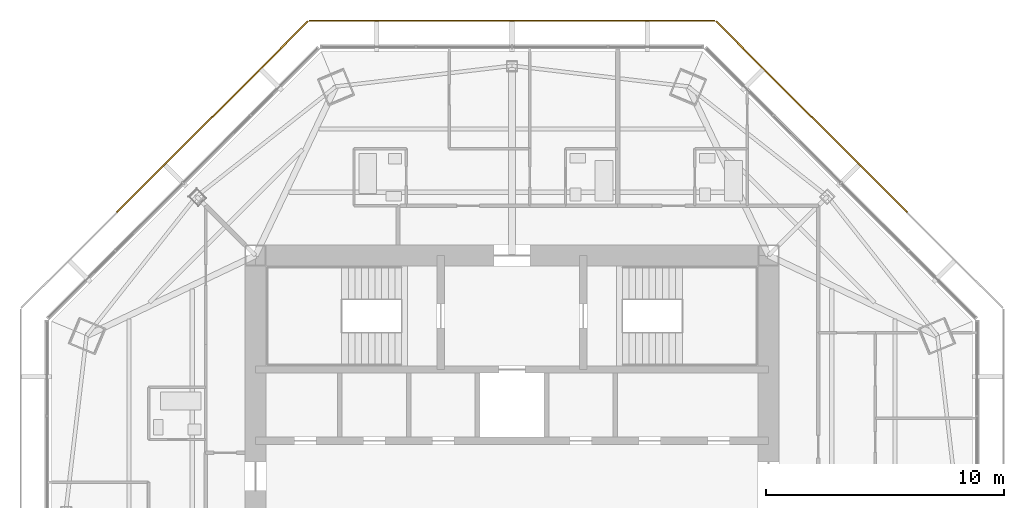
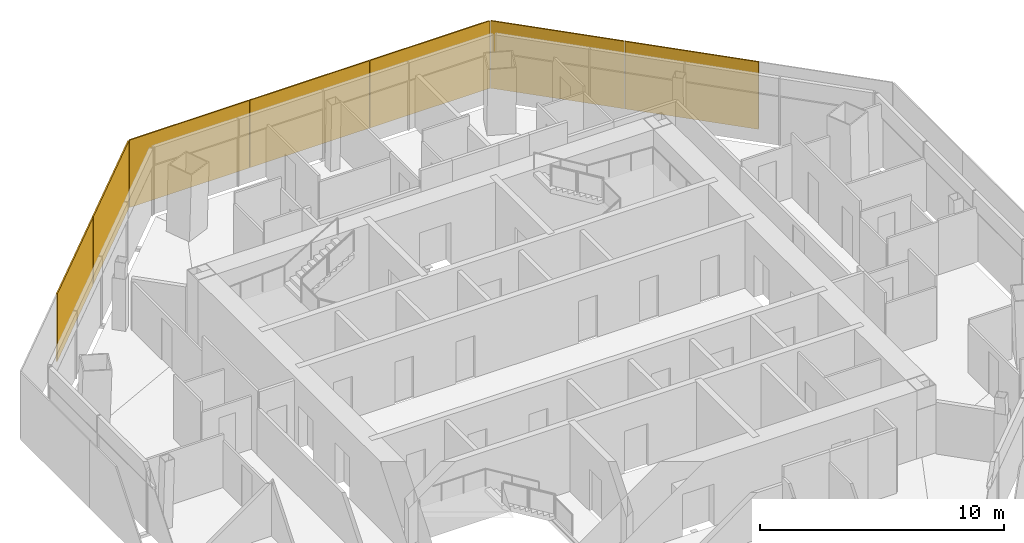
# One storey, part 14 of 15: 7 shading devices.
"""IFC4 building model written with IfcOpenShell, lengths in metres."""

from ifc_helpers import new_model, si_unit, direction, frame, origin, origin_2d, place, context, subcontext, project, spatial, rectangle, extrude, source, transform, mapped, material, layer, layer_set, type_object, type_shapes, element, save


model = new_model("IFC4")

# Units and contexts
model_context = context("Model", 3, precision=1e-05, world=origin(), true_north=direction((0.0, 1.0)))
body_context = subcontext(model_context, "Body", "Model", "MODEL_VIEW")
ifc_project = project(units=[si_unit("LENGTHUNIT", "METRE"), si_unit("AREAUNIT", "SQUARE_METRE"), si_unit("VOLUMEUNIT", "CUBIC_METRE"), si_unit("PLANEANGLEUNIT", "RADIAN"), si_unit("MASSUNIT", "GRAM", prefix="KILO")], contexts=[model_context])

# Site, building, storey
site_placement = place(None, origin())
site = spatial("IfcSite", under=ifc_project, at=site_placement, CompositionType="ELEMENT")
building_placement = place(site_placement, origin())
building = spatial("IfcBuilding", under=site, at=building_placement, Name="Mashrafa Tower", CompositionType="ELEMENT")
storey_placement = place(building_placement, frame((0.0, 0.0, 298.0)))
storey = spatial("IfcBuildingStorey", under=building, at=storey_placement, Name="L73", CompositionType="ELEMENT", Elevation=298.0)

# Shading devices
ifc_material = material(Name="Perforated aluminium plate, eight-point star pattern", Category="aluminium")
ifc_layer = layer(ifc_material, 0.06005859375)
ifc_layer_set = layer_set([ifc_layer], Name="Mashrabiya screen panel apartment zone 4, 22 percent open")
shading_device_type = type_object("IfcShadingDeviceType", Name="Mashrabiya screen panel apartment zone 4, 22 percent open", PredefinedType="SHUTTER", material=ifc_layer_set)
shared_shape = source(origin(), body_context, "Body", "SweptSolid", [
    extrude(rectangle(XDim=5.677001953125, YDim=0.06005859375, at=origin_2d()), origin(), (0.0, 0.0, 1.0), 3.3798828125),
])
type_shapes(shading_device_type, [shared_shape])
for number, where, z_axis, x_axis, name in (
    (1, (14.626220703125, 14.626220703125, -0.14990234375), (0.0, 0.0, 1.0), (-0.707106781187, 0.707106781187, 0.0), "Mashrabiya screen L73 north-east 2"),
    (2, (10.597900390625, 18.65478515625, -0.14990234375), (0.0, 0.0, 1.0), (-0.707106781187, 0.707106781187, 0.0), "Mashrabiya screen L73 north-east 3"),
    (3, (5.697021484375, 20.684814453125, -0.14990234375), (0.0, 0.0, 1.0), (-1.0, 0.0, 0.0), "Mashrabiya screen L73 north 1"),
    (4, (0.0, 20.684814453125, -0.14990234375), (0.0, 0.0, 1.0), (-1.0, 0.0, 0.0), "Mashrabiya screen L73 north 2"),
    (5, (-5.697021484375, 20.684814453125, -0.14990234375), (0.0, 0.0, 1.0), (-1.0, 0.0, 0.0), "Mashrabiya screen L73 north 3"),
    (6, (-10.597900390625, 18.65478515625, -0.14990234375), (0.0, 0.0, 1.0), (-0.707106781187, -0.707106781187, 0.0), "Mashrabiya screen L73 north-west 1"),
    (7, (-14.626220703125, 14.626220703125, -0.14990234375), (0.0, 0.0, 1.0), (-0.707106781187, -0.707106781187, 0.0), "Mashrabiya screen L73 north-west 2"),
):
    element("IfcShadingDevice", number, at=place(storey_placement, frame(where, z_axis=z_axis, x_axis=x_axis)), inside=storey, type_object=shading_device_type, Name=name, PredefinedType="SHUTTER", context=body_context, shape_type="MappedRepresentation", body=[
        mapped(shared_shape, transform((0.0, 0.0, 0.0))),
    ])

save(model, "model.ifc")
